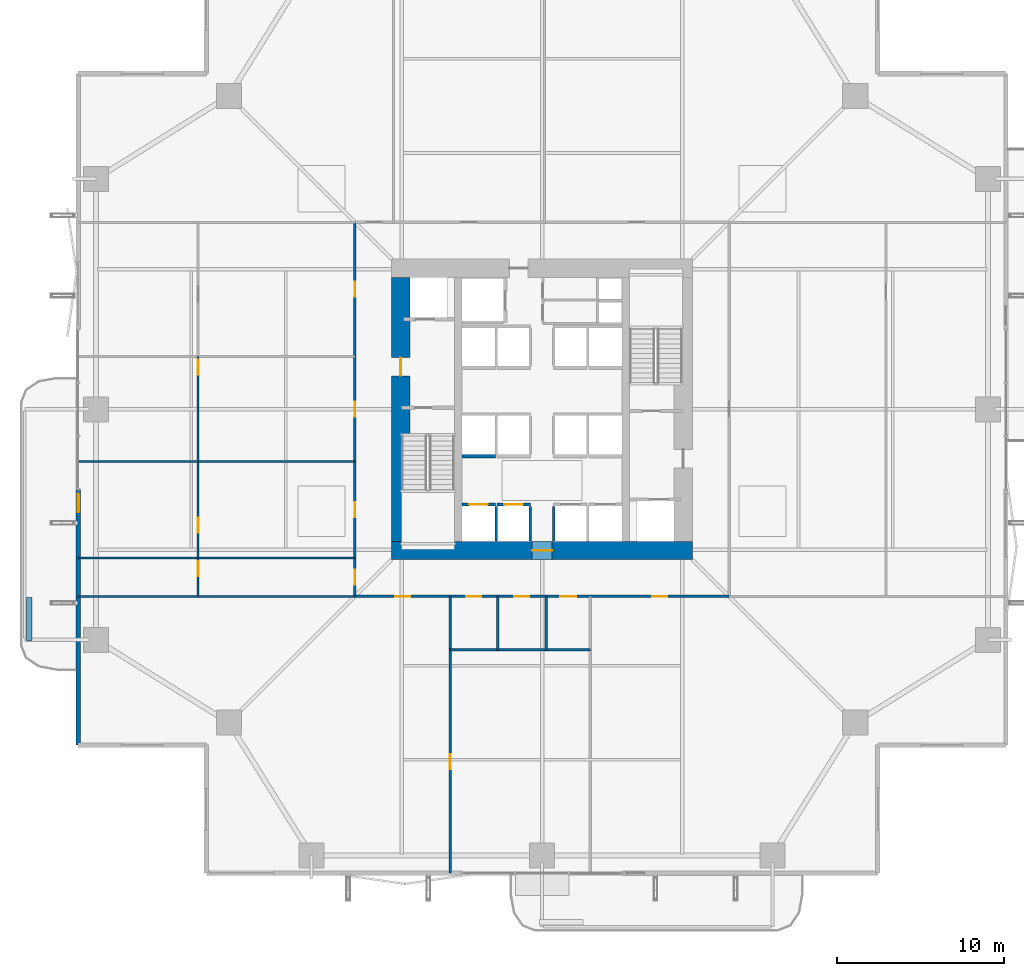
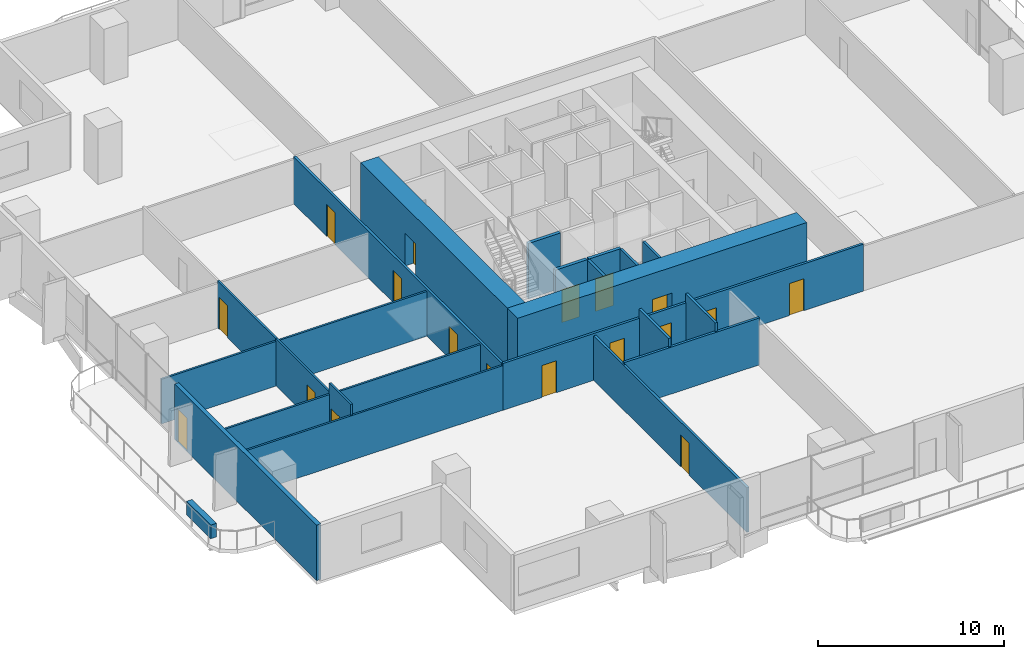
# One storey, part 17 of 24: 22 walls, 18 doors, 18 openings.
"""IFC4 building model written with IfcOpenShell, lengths in metres."""

from ifc_helpers import new_model, si_unit, direction, frame, frame_2d, origin, place, context, subcontext, project, spatial, rectangle, extrude, material, layer, layer_set, type_object, element, fill, save


model = new_model("IFC4")

# Units and contexts
model_context = context("Model", 3, precision=1e-05, world=origin(), true_north=direction((0.0, 1.0)))
body_context = subcontext(model_context, "Body", "Model", "MODEL_VIEW")
ifc_project = project(units=[si_unit("LENGTHUNIT", "METRE"), si_unit("AREAUNIT", "SQUARE_METRE"), si_unit("VOLUMEUNIT", "CUBIC_METRE"), si_unit("PLANEANGLEUNIT", "RADIAN"), si_unit("MASSUNIT", "GRAM", prefix="KILO")], contexts=[model_context])

# Site, building, storey
site_placement = place(None, origin())
site = spatial("IfcSite", under=ifc_project, at=site_placement, CompositionType="ELEMENT")
building_placement = place(site_placement, origin())
building = spatial("IfcBuilding", under=site, at=building_placement, Name="Belovzor Exchange Tower", CompositionType="ELEMENT")
storey_placement = place(building_placement, frame((0.0, 0.0, 80.699951171875)))
storey = spatial("IfcBuildingStorey", under=building, at=storey_placement, Name="L19", CompositionType="ELEMENT", Elevation=80.699951171875)

# Wall
ifc_material_1 = material(Name="Acoustic Plasterboard on Galvanised Studs", Category="gypsum")
ifc_layer_1 = layer(ifc_material_1, 0.1201171875)
ifc_layer_set_1 = layer_set([ifc_layer_1], Name="Acoustic Plasterboard on Galvanised Studs")
wall_type_1 = type_object("IfcWallType", Name="Acoustic Double-Stud Partition Wall 120", PredefinedType="PARTITIONING", material=ifc_layer_set_1)
wall_1_placement = place(storey_placement, frame((1.030029296875, 17.60009765625, 0.0), z_axis=(0.0, 0.0, 1.0), x_axis=(1.0, 0.0, 0.0)))
element("IfcWall", 1, at=wall_1_placement, inside=storey, type_object=wall_type_1, Name="W-P120 Partition Wall W-L19-END-SW", PredefinedType="PARTITIONING", context=body_context, shape_type="SweptSolid", body=[
    extrude(rectangle(XDim=16.570068359375, YDim=0.1201171875, at=frame_2d((8.28515625, 0.0))), origin(), (0.0, 0.0, 1.0), 2.93505859375),
])

# Wall, opening, door
wall_2_placement = place(storey_placement, frame((8.2119140625, 17.60009765625, 0.0), z_axis=(0.0, 0.0, 1.0), x_axis=(0.0, 1.0, 0.0)))
wall_2 = element("IfcWall", 2, at=wall_2_placement, inside=storey, type_object=wall_type_1, Name="W-P120 Partition Wall W-L19-WHDIV-0", PredefinedType="PARTITIONING", context=body_context, shape_type="SweptSolid", body=[
    extrude(rectangle(XDim=2.31298828125, YDim=0.1201171875, at=frame_2d((1.156494140625, 0.0))), origin(), (0.0, 0.0, 1.0), 3.650146484375),
])
opening_1_placement = place(wall_2_placement, frame((1.212890625, 0.0, 0.0)))
opening_1 = element("IfcOpeningElement", 3, at=opening_1_placement, cuts=wall_2, Name="Opening D-INT-090", PredefinedType="OPENING", context=body_context, shape_type="SweptSolid", body=[
    extrude(rectangle(XDim=0.89990234375, YDim=2.10009765625, at=frame_2d((0.449951171875, 1.050048828125))), frame((0.0, 0.070068359375, 0.0), z_axis=(0.0, -1.0, 0.0), x_axis=(1.0, 0.0, 0.0)), (0.0, 0.0, 1.0), 0.14013671875),
])
ifc_material_2 = material(Name="Veneered Hardwood Acoustic Leaf", Category="wood")
door_type_1 = type_object("IfcDoorType", Name="Trading Suite Acoustic Single Door 900x2100", OperationType="NOTDEFINED", PredefinedType="DOOR", material=ifc_material_2)
door_1_placement = place(opening_1_placement, origin())
door_1 = element("IfcDoor", 4, at=door_1_placement, inside=storey, type_object=door_type_1, Name="D-INT-090 Trading Suite Acoustic Single Door 900x2100", OperationType="SINGLE_SWING_LEFT", OverallHeight=2.10009765625, OverallWidth=0.89990234375, PredefinedType="DOOR", context=body_context, shape_type="SweptSolid", body=[
    extrude(rectangle(XDim=0.89990234375, YDim=2.10009765625, at=frame_2d((0.449951171875, 1.050048828125))), frame((0.0, 0.02490234375, 0.0), z_axis=(0.0, -1.0, 0.0), x_axis=(1.0, 0.0, 0.0)), (0.0, 0.0, 1.0), 0.050048828125),
])
fill(opening_1, door_1)

# Wall
wall_3_placement = place(storey_placement, frame((1.030029296875, 19.9130859375, 0.0), z_axis=(0.0, 0.0, 1.0), x_axis=(1.0, 0.0, 0.0)))
element("IfcWall", 5, at=wall_3_placement, inside=storey, type_object=wall_type_1, Name="W-P120 Partition Wall W-L19-WDIV-1", PredefinedType="PARTITIONING", context=body_context, shape_type="SweptSolid", body=[
    extrude(rectangle(XDim=16.570068359375, YDim=0.1201171875, at=frame_2d((8.28515625, 0.0))), origin(), (0.0, 0.0, 1.0), 2.93505859375),
])

# Wall, opening, door
wall_4_placement = place(storey_placement, frame((8.2119140625, 19.9130859375, 0.0), z_axis=(0.0, 0.0, 1.0), x_axis=(0.0, 1.0, 0.0)))
wall_4 = element("IfcWall", 6, at=wall_4_placement, inside=storey, type_object=wall_type_1, Name="W-P120 Partition Wall W-L19-WHDIV-1", PredefinedType="PARTITIONING", context=body_context, shape_type="SweptSolid", body=[
    extrude(rectangle(XDim=5.763916015625, YDim=0.1201171875, at=frame_2d((2.8818359375, 0.0))), origin(), (0.0, 0.0, 1.0), 3.0849609375),
])
opening_2_placement = place(wall_4_placement, frame((1.501953125, 0.0, 0.0)))
opening_2 = element("IfcOpeningElement", 7, at=opening_2_placement, cuts=wall_4, Name="Opening D-INT-090", PredefinedType="OPENING", context=body_context, shape_type="SweptSolid", body=[
    extrude(rectangle(XDim=0.89990234375, YDim=2.10009765625, at=frame_2d((0.449951171875, 1.050048828125))), frame((0.0, 0.070068359375, 0.0), z_axis=(0.0, -1.0, 0.0), x_axis=(1.0, 0.0, 0.0)), (0.0, 0.0, 1.0), 0.14013671875),
])
door_2_placement = place(opening_2_placement, origin())
door_2 = element("IfcDoor", 8, at=door_2_placement, inside=storey, type_object=door_type_1, Name="D-INT-090 Trading Suite Acoustic Single Door 900x2100", OperationType="SINGLE_SWING_LEFT", OverallHeight=2.10009765625, OverallWidth=0.89990234375, PredefinedType="DOOR", context=body_context, shape_type="SweptSolid", body=[
    extrude(rectangle(XDim=0.89990234375, YDim=2.10009765625, at=frame_2d((0.449951171875, 1.050048828125))), frame((0.0, 0.02490234375, 0.0), z_axis=(0.0, -1.0, 0.0), x_axis=(1.0, 0.0, 0.0)), (0.0, 0.0, 1.0), 0.050048828125),
])
fill(opening_2, door_2)

# Wall
wall_5_placement = place(storey_placement, frame((1.030029296875, 25.677001953125, 0.0), z_axis=(0.0, 0.0, 1.0), x_axis=(1.0, 0.0, 0.0)))
element("IfcWall", 9, at=wall_5_placement, inside=storey, type_object=wall_type_1, Name="W-P120 Partition Wall W-L19-WDIV-2", PredefinedType="PARTITIONING", context=body_context, shape_type="SweptSolid", body=[
    extrude(rectangle(XDim=16.570068359375, YDim=0.1201171875, at=frame_2d((8.28515625, 0.0))), origin(), (0.0, 0.0, 1.0), 2.93505859375),
])

# Wall, opening, door
wall_6_placement = place(storey_placement, frame((8.2119140625, 25.677001953125, 0.0), z_axis=(0.0, 0.0, 1.0), x_axis=(0.0, 1.0, 0.0)))
wall_6 = element("IfcWall", 10, at=wall_6_placement, inside=storey, type_object=wall_type_1, Name="W-P120 Partition Wall W-L19-WHDIV-2", PredefinedType="PARTITIONING", context=body_context, shape_type="SweptSolid", body=[
    extrude(rectangle(XDim=6.284912109375, YDim=0.1201171875, at=frame_2d((3.142578125, 0.0))), origin(), (0.0, 0.0, 1.0), 3.0849609375),
])
opening_3_placement = place(wall_6_placement, frame((5.18505859375, 0.0, 0.0)))
opening_3 = element("IfcOpeningElement", 11, at=opening_3_placement, cuts=wall_6, Name="Opening D-INT-090", PredefinedType="OPENING", context=body_context, shape_type="SweptSolid", body=[
    extrude(rectangle(XDim=0.89990234375, YDim=2.10009765625, at=frame_2d((0.449951171875, 1.050048828125))), frame((0.0, 0.070068359375, 0.0), z_axis=(0.0, -1.0, 0.0), x_axis=(1.0, 0.0, 0.0)), (0.0, 0.0, 1.0), 0.14013671875),
])
door_3_placement = place(opening_3_placement, origin())
door_3 = element("IfcDoor", 12, at=door_3_placement, inside=storey, type_object=door_type_1, Name="D-INT-090 Trading Suite Acoustic Single Door 900x2100", OperationType="SINGLE_SWING_LEFT", OverallHeight=2.10009765625, OverallWidth=0.89990234375, PredefinedType="DOOR", context=body_context, shape_type="SweptSolid", body=[
    extrude(rectangle(XDim=0.89990234375, YDim=2.10009765625, at=frame_2d((0.449951171875, 1.050048828125))), frame((0.0, 0.02490234375, 0.0), z_axis=(0.0, -1.0, 0.0), x_axis=(1.0, 0.0, 0.0)), (0.0, 0.0, 1.0), 0.050048828125),
])
fill(opening_3, door_3)

# Wall
ifc_material_3 = material(Name="Fire-Rated Gypsum Block and Mineral Wool", Category="gypsum")
ifc_layer_2 = layer(ifc_material_3, 0.14990234375)
ifc_layer_set_2 = layer_set([ifc_layer_2], Name="Fire-Rated Gypsum Block and Mineral Wool")
wall_type_2 = type_object("IfcWallType", Name="Fire-Rated Gypsum Block Corridor Wall 150", PredefinedType="PARTITIONING", material=ifc_layer_set_2)
wall_7_placement = place(storey_placement, frame((23.300048828125, 14.39990234375, 0.0), z_axis=(0.0, 0.0, 1.0), x_axis=(1.0, 0.0, 0.0)))
element("IfcWall", 13, at=wall_7_placement, inside=storey, type_object=wall_type_2, Name="W-P150 Partition Wall W-L19-WCS", PredefinedType="PARTITIONING", context=body_context, shape_type="SweptSolid", body=[
    extrude(rectangle(XDim=8.39990234375, YDim=0.14990234375, at=frame_2d((4.199951171875, 0.0))), origin(), (0.0, 0.0, 1.0), 3.0849609375),
])

# Wall, opening, door
wall_8_placement = place(storey_placement, frame((23.300048828125, 1.030029296875, 0.0), z_axis=(0.0, 0.0, 1.0), x_axis=(0.0, 1.0, 0.0)))
wall_8 = element("IfcWall", 14, at=wall_8_placement, inside=storey, type_object=wall_type_2, Name="W-P150 Partition Wall W-L19-WCW", PredefinedType="PARTITIONING", context=body_context, shape_type="SweptSolid", body=[
    extrude(rectangle(XDim=16.570068359375, YDim=0.14990234375, at=frame_2d((8.28515625, 0.0))), origin(), (0.0, 0.0, 1.0), 2.93505859375),
])
opening_4_placement = place(wall_8_placement, frame((6.235107421875, 0.0, 0.0)))
opening_4 = element("IfcOpeningElement", 15, at=opening_4_placement, cuts=wall_8, Name="Opening D-INT-090", PredefinedType="OPENING", context=body_context, shape_type="SweptSolid", body=[
    extrude(rectangle(XDim=0.89990234375, YDim=2.10009765625, at=frame_2d((0.449951171875, 1.050048828125))), frame((0.0, 0.0849609375, 0.0), z_axis=(0.0, -1.0, 0.0), x_axis=(1.0, 0.0, 0.0)), (0.0, 0.0, 1.0), 0.169921875),
])
door_4_placement = place(opening_4_placement, origin())
door_4 = element("IfcDoor", 16, at=door_4_placement, inside=storey, type_object=door_type_1, Name="D-INT-090 Trading Suite Acoustic Single Door 900x2100", OperationType="SINGLE_SWING_LEFT", OverallHeight=2.10009765625, OverallWidth=0.89990234375, PredefinedType="DOOR", context=body_context, shape_type="SweptSolid", body=[
    extrude(rectangle(XDim=0.89990234375, YDim=2.10009765625, at=frame_2d((0.449951171875, 1.050048828125))), frame((0.0, 0.02490234375, 0.0), z_axis=(0.0, -1.0, 0.0), x_axis=(1.0, 0.0, 0.0)), (0.0, 0.0, 1.0), 0.050048828125),
])
fill(opening_4, door_4)

# Walls
for number, where, z_axis, x_axis, name in (
    (17, (26.14990234375, 14.39990234375, 0.0), (0.0, 0.0, 1.0), (0.0, 1.0, 0.0), "W-P150 Partition Wall W-L19-WCD1"),
    (18, (29.050048828125, 14.39990234375, 0.0), (0.0, 0.0, 1.0), (0.0, 1.0, 0.0), "W-P150 Partition Wall W-L19-WCD2"),
):
    element("IfcWall", number, at=place(storey_placement, frame(where, z_axis=z_axis, x_axis=x_axis)), inside=storey, type_object=wall_type_2, Name=name, PredefinedType="PARTITIONING", context=body_context, shape_type="SweptSolid", body=[
        extrude(rectangle(XDim=3.2001953125, YDim=0.14990234375, at=frame_2d((1.60009765625, 0.0))), origin(), (0.0, 0.0, 1.0), 3.650146484375),
    ])

# Wall, openings, doors
wall_9_placement = place(storey_placement, frame((17.60009765625, 17.60009765625, 0.0), z_axis=(0.0, 0.0, 1.0), x_axis=(1.0, 0.0, 0.0)))
wall_9 = element("IfcWall", 19, at=wall_9_placement, inside=storey, type_object=wall_type_2, Name="W-P150 Partition Wall W-L19-CS", PredefinedType="PARTITIONING", context=body_context, shape_type="SweptSolid", body=[
    extrude(rectangle(XDim=22.39990234375, YDim=0.14990234375, at=frame_2d((11.199951171875, 0.0))), origin(), (0.0, 0.0, 1.0), 3.0849609375),
])
opening_5_placement = place(wall_9_placement, frame((2.39990234375, 0.0, 0.0)))
opening_5 = element("IfcOpeningElement", 20, at=opening_5_placement, cuts=wall_9, Name="Opening D-INT-090", PredefinedType="OPENING", context=body_context, shape_type="SweptSolid", body=[
    extrude(rectangle(XDim=0.89990234375, YDim=2.10009765625, at=frame_2d((0.449951171875, 1.050048828125))), frame((0.0, 0.0849609375, 0.0), z_axis=(0.0, -1.0, 0.0), x_axis=(1.0, 0.0, 0.0)), (0.0, 0.0, 1.0), 0.169921875),
])
opening_6_placement = place(wall_9_placement, frame((6.64990234375, 0.0, 0.0)))
opening_6 = element("IfcOpeningElement", 21, at=opening_6_placement, cuts=wall_9, Name="Opening D-FD60-090", PredefinedType="OPENING", context=body_context, shape_type="SweptSolid", body=[
    extrude(rectangle(XDim=0.89990234375, YDim=2.10009765625, at=frame_2d((0.449951171875, 1.050048828125))), frame((0.0, 0.0849609375, 0.0), z_axis=(0.0, -1.0, 0.0), x_axis=(1.0, 0.0, 0.0)), (0.0, 0.0, 1.0), 0.169921875),
])
opening_7_placement = place(wall_9_placement, frame((9.550048828125, 0.0, 0.0)))
opening_7 = element("IfcOpeningElement", 22, at=opening_7_placement, cuts=wall_9, Name="Opening D-FD60-090", PredefinedType="OPENING", context=body_context, shape_type="SweptSolid", body=[
    extrude(rectangle(XDim=0.89990234375, YDim=2.10009765625, at=frame_2d((0.449951171875, 1.050048828125))), frame((0.0, 0.0849609375, 0.0), z_axis=(0.0, -1.0, 0.0), x_axis=(1.0, 0.0, 0.0)), (0.0, 0.0, 1.0), 0.169921875),
])
opening_8_placement = place(wall_9_placement, frame((12.300048828125, 0.0, 0.0)))
opening_8 = element("IfcOpeningElement", 23, at=opening_8_placement, cuts=wall_9, Name="Opening D-FD60-095", PredefinedType="OPENING", context=body_context, shape_type="SweptSolid", body=[
    extrude(rectangle(XDim=0.949951171875, YDim=2.10009765625, at=frame_2d((0.47509765625, 1.050048828125))), frame((0.0, 0.0849609375, 0.0), z_axis=(0.0, -1.0, 0.0), x_axis=(1.0, 0.0, 0.0)), (0.0, 0.0, 1.0), 0.169921875),
])
opening_9_placement = place(wall_9_placement, frame((17.800048828125, 0.0, 0.0)))
opening_9 = element("IfcOpeningElement", 24, at=opening_9_placement, cuts=wall_9, Name="Opening D-INT-090", PredefinedType="OPENING", context=body_context, shape_type="SweptSolid", body=[
    extrude(rectangle(XDim=0.89990234375, YDim=2.10009765625, at=frame_2d((0.449951171875, 1.050048828125))), frame((0.0, 0.0849609375, 0.0), z_axis=(0.0, -1.0, 0.0), x_axis=(1.0, 0.0, 0.0)), (0.0, 0.0, 1.0), 0.169921875),
])
ifc_material_4 = material(Name="Moisture-Resistant Timber Fire Leaf", Category="wood")
door_type_2 = type_object("IfcDoorType", Name="Accessible Restroom Wide Fire Door 950x2100", OperationType="NOTDEFINED", PredefinedType="DOOR", material=ifc_material_4)
door_5_placement = place(opening_8_placement, origin())
door_5 = element("IfcDoor", 25, at=door_5_placement, inside=storey, type_object=door_type_2, Name="D-FD60-095 Accessible Restroom Wide Fire Door 950x2100", OperationType="SINGLE_SWING_LEFT", OverallHeight=2.10009765625, OverallWidth=0.949951171875, PredefinedType="DOOR", context=body_context, shape_type="SweptSolid", body=[
    extrude(rectangle(XDim=0.949951171875, YDim=2.10009765625, at=frame_2d((0.47509765625, 1.050048828125))), frame((0.0, 0.02490234375, 0.0), z_axis=(0.0, -1.0, 0.0), x_axis=(1.0, 0.0, 0.0)), (0.0, 0.0, 1.0), 0.050048828125),
])
fill(opening_8, door_5)
ifc_material_5 = material(Name="Acoustic Timber Fire Leaf", Category="wood")
door_type_3 = type_object("IfcDoorType", Name="Core Service & Restroom Fire Door 900x2100", OperationType="NOTDEFINED", PredefinedType="DOOR", material=ifc_material_5)
door_6_placement = place(opening_6_placement, origin())
door_6 = element("IfcDoor", 26, at=door_6_placement, inside=storey, type_object=door_type_3, Name="D-FD60-090 Core Service & Restroom Fire Door 900x2100", OperationType="SINGLE_SWING_LEFT", OverallHeight=2.10009765625, OverallWidth=0.89990234375, PredefinedType="DOOR", context=body_context, shape_type="SweptSolid", body=[
    extrude(rectangle(XDim=0.89990234375, YDim=2.10009765625, at=frame_2d((0.449951171875, 1.050048828125))), frame((0.0, 0.02490234375, 0.0), z_axis=(0.0, -1.0, 0.0), x_axis=(1.0, 0.0, 0.0)), (0.0, 0.0, 1.0), 0.050048828125),
])
fill(opening_6, door_6)
door_7_placement = place(opening_7_placement, origin())
door_7 = element("IfcDoor", 27, at=door_7_placement, inside=storey, type_object=door_type_3, Name="D-FD60-090 Core Service & Restroom Fire Door 900x2100", OperationType="SINGLE_SWING_RIGHT", OverallHeight=2.10009765625, OverallWidth=0.89990234375, PredefinedType="DOOR", context=body_context, shape_type="SweptSolid", body=[
    extrude(rectangle(XDim=0.89990234375, YDim=2.10009765625, at=frame_2d((0.449951171875, 1.050048828125))), frame((0.0, 0.02490234375, 0.0), z_axis=(0.0, -1.0, 0.0), x_axis=(1.0, 0.0, 0.0)), (0.0, 0.0, 1.0), 0.050048828125),
])
fill(opening_7, door_7)
door_8_placement = place(opening_5_placement, origin())
door_8 = element("IfcDoor", 28, at=door_8_placement, inside=storey, type_object=door_type_1, Name="D-INT-090 Trading Suite Acoustic Single Door 900x2100", OperationType="SINGLE_SWING_LEFT", OverallHeight=2.10009765625, OverallWidth=0.89990234375, PredefinedType="DOOR", context=body_context, shape_type="SweptSolid", body=[
    extrude(rectangle(XDim=0.89990234375, YDim=2.10009765625, at=frame_2d((0.449951171875, 1.050048828125))), frame((0.0, 0.02490234375, 0.0), z_axis=(0.0, -1.0, 0.0), x_axis=(1.0, 0.0, 0.0)), (0.0, 0.0, 1.0), 0.050048828125),
])
fill(opening_5, door_8)
door_9_placement = place(opening_9_placement, origin())
door_9 = element("IfcDoor", 29, at=door_9_placement, inside=storey, type_object=door_type_1, Name="D-INT-090 Trading Suite Acoustic Single Door 900x2100", OperationType="SINGLE_SWING_RIGHT", OverallHeight=2.10009765625, OverallWidth=0.89990234375, PredefinedType="DOOR", context=body_context, shape_type="SweptSolid", body=[
    extrude(rectangle(XDim=0.89990234375, YDim=2.10009765625, at=frame_2d((0.449951171875, 1.050048828125))), frame((0.0, 0.02490234375, 0.0), z_axis=(0.0, -1.0, 0.0), x_axis=(1.0, 0.0, 0.0)), (0.0, 0.0, 1.0), 0.050048828125),
])
fill(opening_9, door_9)

wall_10_placement = place(storey_placement, frame((17.60009765625, 17.60009765625, 0.0), z_axis=(0.0, 0.0, 1.0), x_axis=(0.0, 1.0, 0.0)))
wall_10 = element("IfcWall", 30, at=wall_10_placement, inside=storey, type_object=wall_type_2, Name="W-P150 Partition Wall W-L19-CW", PredefinedType="PARTITIONING", context=body_context, shape_type="SweptSolid", body=[
    extrude(rectangle(XDim=22.39990234375, YDim=0.14990234375, at=frame_2d((11.199951171875, 0.0))), origin(), (0.0, 0.0, 1.0), 3.0849609375),
])
opening_10_placement = place(wall_10_placement, frame((0.70703125, 0.0, 0.0)))
opening_10 = element("IfcOpeningElement", 31, at=opening_10_placement, cuts=wall_10, Name="Opening D-INT-090", PredefinedType="OPENING", context=body_context, shape_type="SweptSolid", body=[
    extrude(rectangle(XDim=0.89990234375, YDim=2.10009765625, at=frame_2d((0.449951171875, 1.050048828125))), frame((0.0, 0.0849609375, 0.0), z_axis=(0.0, -1.0, 0.0), x_axis=(1.0, 0.0, 0.0)), (0.0, 0.0, 1.0), 0.169921875),
])
opening_11_placement = place(wall_10_placement, frame((4.7451171875, 0.0, 0.0)))
opening_11 = element("IfcOpeningElement", 32, at=opening_11_placement, cuts=wall_10, Name="Opening D-INT-090", PredefinedType="OPENING", context=body_context, shape_type="SweptSolid", body=[
    extrude(rectangle(XDim=0.89990234375, YDim=2.10009765625, at=frame_2d((0.449951171875, 1.050048828125))), frame((0.0, 0.0849609375, 0.0), z_axis=(0.0, -1.0, 0.0), x_axis=(1.0, 0.0, 0.0)), (0.0, 0.0, 1.0), 0.169921875),
])
opening_12_placement = place(wall_10_placement, frame((10.76904296875, 0.0, 0.0)))
opening_12 = element("IfcOpeningElement", 33, at=opening_12_placement, cuts=wall_10, Name="Opening D-INT-090", PredefinedType="OPENING", context=body_context, shape_type="SweptSolid", body=[
    extrude(rectangle(XDim=0.89990234375, YDim=2.10009765625, at=frame_2d((0.449951171875, 1.050048828125))), frame((0.0, 0.0849609375, 0.0), z_axis=(0.0, -1.0, 0.0), x_axis=(1.0, 0.0, 0.0)), (0.0, 0.0, 1.0), 0.169921875),
])
opening_13_placement = place(wall_10_placement, frame((17.930908203125, 0.0, 0.0)))
opening_13 = element("IfcOpeningElement", 34, at=opening_13_placement, cuts=wall_10, Name="Opening D-INT-090", PredefinedType="OPENING", context=body_context, shape_type="SweptSolid", body=[
    extrude(rectangle(XDim=0.89990234375, YDim=2.10009765625, at=frame_2d((0.449951171875, 1.050048828125))), frame((0.0, 0.0849609375, 0.0), z_axis=(0.0, -1.0, 0.0), x_axis=(1.0, 0.0, 0.0)), (0.0, 0.0, 1.0), 0.169921875),
])
door_10_placement = place(opening_10_placement, origin())
door_10 = element("IfcDoor", 35, at=door_10_placement, inside=storey, type_object=door_type_1, Name="D-INT-090 Trading Suite Acoustic Single Door 900x2100", OperationType="SINGLE_SWING_LEFT", OverallHeight=2.10009765625, OverallWidth=0.89990234375, PredefinedType="DOOR", context=body_context, shape_type="SweptSolid", body=[
    extrude(rectangle(XDim=0.89990234375, YDim=2.10009765625, at=frame_2d((0.449951171875, 1.050048828125))), frame((0.0, 0.02490234375, 0.0), z_axis=(0.0, -1.0, 0.0), x_axis=(1.0, 0.0, 0.0)), (0.0, 0.0, 1.0), 0.050048828125),
])
fill(opening_10, door_10)
door_11_placement = place(opening_11_placement, origin())
door_11 = element("IfcDoor", 36, at=door_11_placement, inside=storey, type_object=door_type_1, Name="D-INT-090 Trading Suite Acoustic Single Door 900x2100", OperationType="SINGLE_SWING_RIGHT", OverallHeight=2.10009765625, OverallWidth=0.89990234375, PredefinedType="DOOR", context=body_context, shape_type="SweptSolid", body=[
    extrude(rectangle(XDim=0.89990234375, YDim=2.10009765625, at=frame_2d((0.449951171875, 1.050048828125))), frame((0.0, 0.02490234375, 0.0), z_axis=(0.0, -1.0, 0.0), x_axis=(1.0, 0.0, 0.0)), (0.0, 0.0, 1.0), 0.050048828125),
])
fill(opening_11, door_11)
door_12_placement = place(opening_12_placement, origin())
door_12 = element("IfcDoor", 37, at=door_12_placement, inside=storey, type_object=door_type_1, Name="D-INT-090 Trading Suite Acoustic Single Door 900x2100", OperationType="SINGLE_SWING_LEFT", OverallHeight=2.10009765625, OverallWidth=0.89990234375, PredefinedType="DOOR", context=body_context, shape_type="SweptSolid", body=[
    extrude(rectangle(XDim=0.89990234375, YDim=2.10009765625, at=frame_2d((0.449951171875, 1.050048828125))), frame((0.0, 0.02490234375, 0.0), z_axis=(0.0, -1.0, 0.0), x_axis=(1.0, 0.0, 0.0)), (0.0, 0.0, 1.0), 0.050048828125),
])
fill(opening_12, door_12)
door_13_placement = place(opening_13_placement, origin())
door_13 = element("IfcDoor", 38, at=door_13_placement, inside=storey, type_object=door_type_1, Name="D-INT-090 Trading Suite Acoustic Single Door 900x2100", OperationType="SINGLE_SWING_RIGHT", OverallHeight=2.10009765625, OverallWidth=0.89990234375, PredefinedType="DOOR", context=body_context, shape_type="SweptSolid", body=[
    extrude(rectangle(XDim=0.89990234375, YDim=2.10009765625, at=frame_2d((0.449951171875, 1.050048828125))), frame((0.0, 0.02490234375, 0.0), z_axis=(0.0, -1.0, 0.0), x_axis=(1.0, 0.0, 0.0)), (0.0, 0.0, 1.0), 0.050048828125),
])
fill(opening_13, door_13)

# Wall, opening, door
ifc_material_6 = material(Name="Precast concrete C40/50", Category="concrete")
ifc_layer_3 = layer(ifc_material_6, 0.260009765625)
ifc_layer_set_3 = layer_set([ifc_layer_3], Name="Precast concrete C40/50")
wall_type_3 = type_object("IfcWallType", Name="Precast Concrete Perimeter Loggia Frame Wall 260", PredefinedType="SOLIDWALL", material=ifc_layer_set_3)
wall_11_placement = place(storey_placement, frame((1.030029296875, 8.699951171875, 0.0), z_axis=(0.0, 0.0, 1.0), x_axis=(0.0, 1.0, 0.0)))
wall_11 = element("IfcWall", 39, at=wall_11_placement, inside=storey, type_object=wall_type_3, Name="W-EXT260 Precast Concrete Perimeter Loggia Frame Wall 260 L19", PredefinedType="SOLIDWALL", context=body_context, shape_type="SweptSolid", body=[
    extrude(rectangle(XDim=15.300048828125, YDim=0.260009765625, at=frame_2d((7.64990234375, 0.0))), origin(), (0.0, 0.0, 1.0), 3.650146484375),
])
opening_14_placement = place(wall_11_placement, frame((13.949951171875, 0.0, 0.0)))
opening_14 = element("IfcOpeningElement", 40, at=opening_14_placement, cuts=wall_11, Name="Opening D-BAL110", PredefinedType="OPENING", context=body_context, shape_type="SweptSolid", body=[
    extrude(rectangle(XDim=1.10009765625, YDim=2.199951171875, at=frame_2d((0.550048828125, 1.10009765625))), frame((0.0, 0.139892578125, 0.0), z_axis=(0.0, -1.0, 0.0), x_axis=(1.0, 0.0, 0.0)), (0.0, 0.0, 1.0), 0.280029296875),
])
ifc_material_7 = material(Name="Thermally Broken Anodised Aluminium and Laminated Glass", Category="aluminium")
door_type_4 = type_object("IfcDoorType", Name="Planted Loggia Terrace Glazed Door 1100x2200", OperationType="SINGLE_SWING_LEFT", PredefinedType="DOOR", material=ifc_material_7)
door_14_placement = place(opening_14_placement, origin())
door_14 = element("IfcDoor", 41, at=door_14_placement, inside=storey, type_object=door_type_4, Name="D-BAL110 Balcony Terrace Door L19 W", OperationType="SINGLE_SWING_RIGHT", OverallHeight=2.199951171875, OverallWidth=1.10009765625, PredefinedType="DOOR", context=body_context, shape_type="SweptSolid", body=[
    extrude(rectangle(XDim=1.10009765625, YDim=2.199951171875, at=frame_2d((0.550048828125, 1.10009765625))), frame((0.0, 0.02490234375, 0.0), z_axis=(0.0, -1.0, 0.0), x_axis=(1.0, 0.0, 0.0)), (0.0, 0.0, 1.0), 0.050048828125),
])
fill(opening_14, door_14)

# Walls
ifc_material_8 = material(Name="Precast concrete C40/50", Category="concrete")
ifc_layer_4 = layer(ifc_material_8, 0.35009765625)
ifc_layer_set_4 = layer_set([ifc_layer_4], Name="Precast concrete C40/50")
wall_type_4 = type_object("IfcWallType", Name="Precast Concrete Structural Tree Planter Trough 350", PredefinedType="PARAPET", material=ifc_layer_set_4)
wall_12_placement = place(storey_placement, frame((-1.89990234375, 14.949951171875, 0.0), z_axis=(0.0, 0.0, 1.0), x_axis=(0.0, 1.0, 0.0)))
element("IfcWall", 42, at=wall_12_placement, inside=storey, type_object=wall_type_4, Name="PT-350 Precast Concrete Structural Tree Planter Trough 350 L19", PredefinedType="PARAPET", context=body_context, shape_type="SweptSolid", body=[
    extrude(rectangle(XDim=2.60009765625, YDim=0.35009765625, at=frame_2d((1.300048828125, 0.0))), origin(), (0.0, 0.0, 1.0), 0.900146484375),
])
ifc_material_9 = material(Name="Concrete C50/60", Category="concrete")
ifc_layer_5 = layer(ifc_material_9, 0.14990234375)
ifc_layer_set_5 = layer_set([ifc_layer_5], Name="Concrete C50/60")
wall_type_5 = type_object("IfcWallType", Name="Reinforced Concrete Core Riser Shear Wall 150", PredefinedType="SHEAR", material=ifc_layer_set_5)
for number, where, z_axis, x_axis, name in (
    (43, (26.050048828125, 20.919921875, 0.0), (0.0, 0.0, 1.0), (0.0, 1.0, 0.0), "W-C150S Core Shaft Wall W-SHD-L19-PLL-1"),
    (44, (28.10009765625, 20.919921875, 0.0), (0.0, 0.0, 1.0), (0.0, 1.0, 0.0), "W-C150S Core Shaft Wall W-SHD-L19-PLL-2"),
    (45, (29.5, 20.919921875, 0.0), (0.0, 0.0, 1.0), (0.0, 1.0, 0.0), "W-C150S Core Shaft Wall W-SHD-L19-PLL-3"),
):
    element("IfcWall", number, at=place(storey_placement, frame(where, z_axis=z_axis, x_axis=x_axis)), inside=storey, type_object=wall_type_5, Name=name, PredefinedType="SHEAR", context=body_context, shape_type="SweptSolid", body=[
        extrude(rectangle(XDim=2.06005859375, YDim=0.14990234375, at=frame_2d((1.030029296875, 0.0))), origin(), (0.0, 0.0, 1.0), 3.650146484375),
    ])

# Wall, opening, door
ifc_material_10 = material(Name="Concrete C50/60", Category="concrete")
ifc_layer_6 = layer(ifc_material_10, 0.199951171875)
ifc_layer_set_6 = layer_set([ifc_layer_6], Name="Concrete C50/60")
wall_type_6 = type_object("IfcWallType", Name="Reinforced Concrete Core Shaft Shear Wall 200", PredefinedType="SHEAR", material=ifc_layer_set_6)
wall_13_placement = place(storey_placement, frame((24.0, 23.10009765625, 0.0), z_axis=(0.0, 0.0, 1.0), x_axis=(1.0, 0.0, 0.0)))
wall_13 = element("IfcWall", 46, at=wall_13_placement, inside=storey, type_object=wall_type_6, Name="W-C200S Core Shaft Wall W-SH-L19-PL-L1", PredefinedType="SHEAR", context=body_context, shape_type="SweptSolid", body=[
    extrude(rectangle(XDim=2.0, YDim=0.199951171875, at=frame_2d((1.0, 0.0))), origin(), (0.0, 0.0, 1.0), 3.650146484375),
])
opening_15_placement = place(wall_13_placement, frame((0.449951171875, 0.0, 0.0)))
opening_15 = element("IfcOpeningElement", 47, at=opening_15_placement, cuts=wall_13, Name="Opening LD-110", PredefinedType="OPENING", context=body_context, shape_type="SweptSolid", body=[
    extrude(rectangle(XDim=1.10009765625, YDim=2.14990234375, at=frame_2d((0.550048828125, 1.074951171875))), frame((0.0, 0.10986328125, 0.0), z_axis=(0.0, -1.0, 0.0), x_axis=(1.0, 0.0, 0.0)), (0.0, 0.0, 1.0), 0.219970703125),
])
ifc_material_11 = material(Name="Stainless Steel Grade 304", Category="steel")
door_type_5 = type_object("IfcDoorType", Name="Automated Stainless Steel Lift Landing Door 1100x2150", OperationType="SLIDING_TO_RIGHT", PredefinedType="DOOR", material=ifc_material_11)
door_15_placement = place(opening_15_placement, origin())
door_15 = element("IfcDoor", 48, at=door_15_placement, inside=storey, type_object=door_type_5, Name="LD-110 Automated Stainless Steel Lift Landing Door 1100x2150", OperationType="SLIDING_TO_RIGHT", OverallHeight=2.14990234375, OverallWidth=1.10009765625, PredefinedType="DOOR", context=body_context, shape_type="SweptSolid", body=[
    extrude(rectangle(XDim=1.10009765625, YDim=2.14990234375, at=frame_2d((0.550048828125, 1.074951171875))), frame((0.0, 0.02490234375, 0.0), z_axis=(0.0, -1.0, 0.0), x_axis=(1.0, 0.0, 0.0)), (0.0, 0.0, 1.0), 0.050048828125),
])
fill(opening_15, door_15)

wall_14_placement = place(storey_placement, frame((26.10009765625, 23.10009765625, 0.0), z_axis=(0.0, 0.0, 1.0), x_axis=(1.0, 0.0, 0.0)))
wall_14 = element("IfcWall", 49, at=wall_14_placement, inside=storey, type_object=wall_type_6, Name="W-C200S Core Shaft Wall W-SH-L19-PL-L2", PredefinedType="SHEAR", context=body_context, shape_type="SweptSolid", body=[
    extrude(rectangle(XDim=2.0, YDim=0.199951171875, at=frame_2d((1.0, 0.0))), origin(), (0.0, 0.0, 1.0), 3.650146484375),
])
opening_16_placement = place(wall_14_placement, frame((0.449951171875, 0.0, 0.0)))
opening_16 = element("IfcOpeningElement", 50, at=opening_16_placement, cuts=wall_14, Name="Opening LD-110", PredefinedType="OPENING", context=body_context, shape_type="SweptSolid", body=[
    extrude(rectangle(XDim=1.10009765625, YDim=2.14990234375, at=frame_2d((0.550048828125, 1.074951171875))), frame((0.0, 0.10986328125, 0.0), z_axis=(0.0, -1.0, 0.0), x_axis=(1.0, 0.0, 0.0)), (0.0, 0.0, 1.0), 0.219970703125),
])
door_16_placement = place(opening_16_placement, origin())
door_16 = element("IfcDoor", 51, at=door_16_placement, inside=storey, type_object=door_type_5, Name="LD-110 Automated Stainless Steel Lift Landing Door 1100x2150", OperationType="SLIDING_TO_RIGHT", OverallHeight=2.14990234375, OverallWidth=1.10009765625, PredefinedType="DOOR", context=body_context, shape_type="SweptSolid", body=[
    extrude(rectangle(XDim=1.10009765625, YDim=2.14990234375, at=frame_2d((0.550048828125, 1.074951171875))), frame((0.0, 0.02490234375, 0.0), z_axis=(0.0, -1.0, 0.0), x_axis=(1.0, 0.0, 0.0)), (0.0, 0.0, 1.0), 0.050048828125),
])
fill(opening_16, door_16)

# Wall
wall_15_placement = place(storey_placement, frame((24.0, 26.0, 0.0), z_axis=(0.0, 0.0, 1.0), x_axis=(1.0, 0.0, 0.0)))
element("IfcWall", 52, at=wall_15_placement, inside=storey, type_object=wall_type_6, Name="W-C200S Core Shaft Wall W-SH-L19-PL-M1", PredefinedType="SHEAR", context=body_context, shape_type="SweptSolid", body=[
    extrude(rectangle(XDim=2.0, YDim=0.199951171875, at=frame_2d((1.0, 0.0))), origin(), (0.0, 0.0, 1.0), 3.650146484375),
])

# Wall, opening, door
ifc_material_12 = material(Name="Concrete C60/75", Category="concrete")
ifc_layer_7 = layer(ifc_material_12, 1.10009765625)
ifc_layer_set_7 = layer_set([ifc_layer_7], Name="Concrete C60/75")
wall_type_7 = type_object("IfcWallType", Name="Reinforced Concrete Core Shear Wall 1100", PredefinedType="SHEAR", material=ifc_layer_set_7)
wall_16_placement = place(storey_placement, frame((19.800048828125, 20.35009765625, 0.0), z_axis=(0.0, 0.0, 1.0), x_axis=(1.0, 0.0, 0.0)))
wall_16 = element("IfcWall", 53, at=wall_16_placement, inside=storey, type_object=wall_type_7, Name="CW-S110 Core Shear Wall L19 S", PredefinedType="SHEAR", context=body_context, shape_type="SweptSolid", body=[
    extrude(rectangle(XDim=18.0, YDim=1.10009765625, at=frame_2d((9.0, 0.0))), origin(), (0.0, 0.0, 1.0), 3.900146484375),
])
opening_17_placement = place(wall_16_placement, frame((8.39990234375, 0.0, 0.0)))
opening_17 = element("IfcOpeningElement", 54, at=opening_17_placement, cuts=wall_16, Name="Opening D-FD90-120", PredefinedType="OPENING", context=body_context, shape_type="SweptSolid", body=[
    extrude(rectangle(XDim=1.199951171875, YDim=2.199951171875, at=frame_2d((0.60009765625, 1.10009765625))), frame((0.0, 0.56005859375, 0.0), z_axis=(0.0, -1.0, 0.0), x_axis=(1.0, 0.0, 0.0)), (0.0, 0.0, 1.0), 1.1201171875),
])
ifc_material_13 = material(Name="Fire-Rated Galvanised Steel Leaf", Category="steel")
door_type_6 = type_object("IfcDoorType", Name="Heavy Plant & Foyer Fire Door 1200x2200", OperationType="NOTDEFINED", PredefinedType="DOOR", material=ifc_material_13)
door_17_placement = place(opening_17_placement, origin())
door_17 = element("IfcDoor", 55, at=door_17_placement, inside=storey, type_object=door_type_6, Name="D-FD90-120 Heavy Plant & Foyer Fire Door 1200x2200", OperationType="SINGLE_SWING_LEFT", OverallHeight=2.199951171875, OverallWidth=1.199951171875, PredefinedType="DOOR", context=body_context, shape_type="SweptSolid", body=[
    extrude(rectangle(XDim=1.199951171875, YDim=2.199951171875, at=frame_2d((0.60009765625, 1.10009765625))), frame((0.0, 0.02490234375, 0.0), z_axis=(0.0, -1.0, 0.0), x_axis=(1.0, 0.0, 0.0)), (0.0, 0.0, 1.0), 0.050048828125),
])
fill(opening_17, door_17)

wall_17_placement = place(storey_placement, frame((20.35009765625, 20.89990234375, 0.0), z_axis=(0.0, 0.0, 1.0), x_axis=(0.0, 1.0, 0.0)))
wall_17 = element("IfcWall", 56, at=wall_17_placement, inside=storey, type_object=wall_type_7, Name="CW-S110 Core Shear Wall L19 W", PredefinedType="SHEAR", context=body_context, shape_type="SweptSolid", body=[
    extrude(rectangle(XDim=15.800048828125, YDim=1.10009765625, at=frame_2d((7.89990234375, 0.0))), origin(), (0.0, 0.0, 1.0), 3.900146484375),
])
opening_18_placement = place(wall_17_placement, frame((9.89990234375, 0.0, 0.0)))
opening_18 = element("IfcOpeningElement", 57, at=opening_18_placement, cuts=wall_17, Name="Opening D-FD90-110", PredefinedType="OPENING", context=body_context, shape_type="SweptSolid", body=[
    extrude(rectangle(XDim=1.10009765625, YDim=2.14990234375, at=frame_2d((0.550048828125, 1.074951171875))), frame((0.0, 0.56005859375, 0.0), z_axis=(0.0, -1.0, 0.0), x_axis=(1.0, 0.0, 0.0)), (0.0, 0.0, 1.0), 1.1201171875),
])
ifc_material_14 = material(Name="Fire-Rated Galvanised Steel Leaf", Category="steel")
door_type_7 = type_object("IfcDoorType", Name="Protected Escape Vestibule Fire Door 1100x2150", OperationType="NOTDEFINED", PredefinedType="DOOR", material=ifc_material_14)
door_18_placement = place(opening_18_placement, origin())
door_18 = element("IfcDoor", 58, at=door_18_placement, inside=storey, type_object=door_type_7, Name="D-FD90-110 Protected Escape Vestibule Fire Door 1100x2150", OperationType="SINGLE_SWING_LEFT", OverallHeight=2.14990234375, OverallWidth=1.10009765625, PredefinedType="DOOR", context=body_context, shape_type="SweptSolid", body=[
    extrude(rectangle(XDim=1.10009765625, YDim=2.14990234375, at=frame_2d((0.550048828125, 1.074951171875))), frame((0.0, 0.02490234375, 0.0), z_axis=(0.0, -1.0, 0.0), x_axis=(1.0, 0.0, 0.0)), (0.0, 0.0, 1.0), 0.050048828125),
])
fill(opening_18, door_18)

save(model, "model.ifc")
